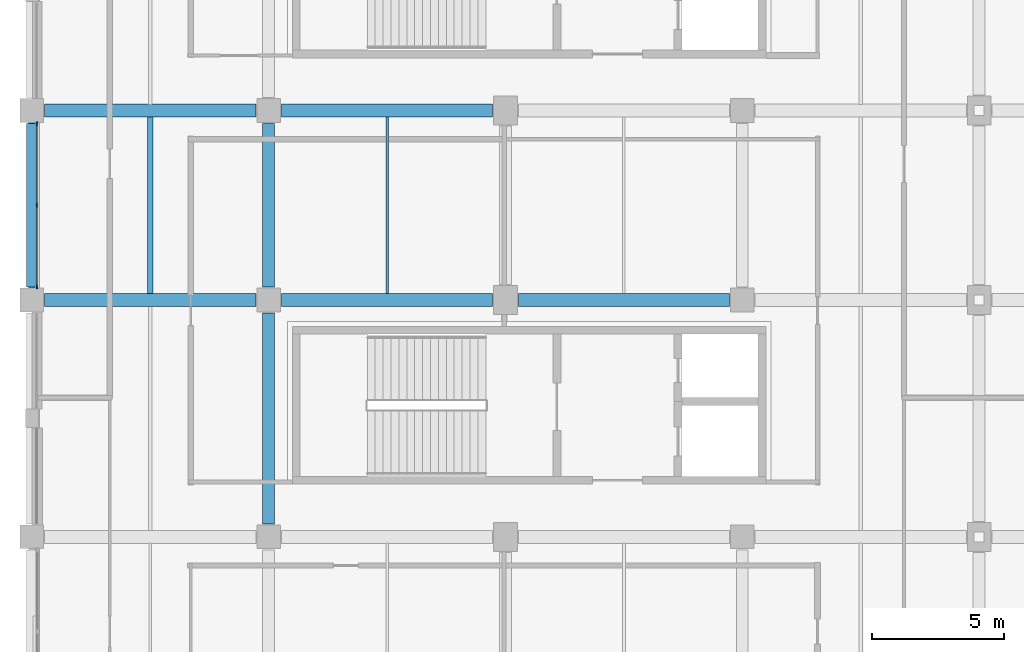
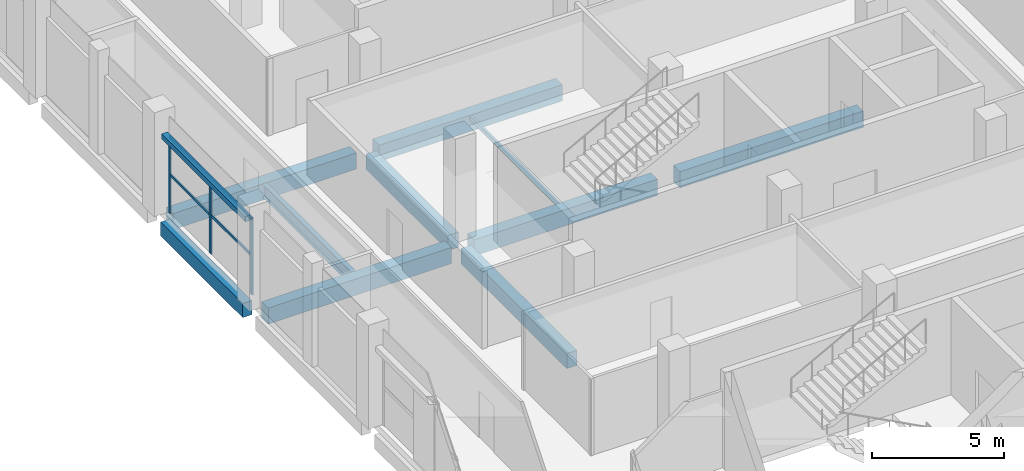
# One storey, part 15 of 82: 10 beams, 6 members, 1 element without a shape of its own.
"""IFC4 building model written with IfcOpenShell, lengths in metres."""

from ifc_helpers import new_model, si_unit, direction, frame, origin, origin_2d, place, context, subcontext, project, spatial, rectangle, hollow_rectangle, i_section, extrude, material, material_profile, profile_set, type_object, element, aggregate, save


model = new_model("IFC4")

# Units and contexts
model_context = context("Model", 3, precision=1e-05, world=origin(), true_north=direction((0.0, 1.0)))
body_context = subcontext(model_context, "Body", "Model", "MODEL_VIEW")
ifc_project = project(units=[si_unit("LENGTHUNIT", "METRE"), si_unit("AREAUNIT", "SQUARE_METRE"), si_unit("VOLUMEUNIT", "CUBIC_METRE"), si_unit("PLANEANGLEUNIT", "RADIAN"), si_unit("MASSUNIT", "GRAM", prefix="KILO"), si_unit("THERMODYNAMICTEMPERATUREUNIT", "KELVIN"), si_unit("POWERUNIT", "WATT")], contexts=[model_context])

# Site, building, storey
site_placement = place(None, origin())
site = spatial("IfcSite", under=ifc_project, at=site_placement, CompositionType="ELEMENT")
building_placement = place(site_placement, origin())
building = spatial("IfcBuilding", under=site, at=building_placement, Name="Sindhuravela Promenade Stadium", CompositionType="ELEMENT")
storey_placement = place(building_placement, frame((0.0, 0.0, 14.39990234375)))
storey = spatial("IfcBuildingStorey", under=building, at=storey_placement, Name="L03", CompositionType="ELEMENT", Elevation=14.39990234375)

# Curtain wall, members
ifc_material_1 = material(Name="Anodised architectural aluminium 6063-T6", Category="aluminium")
curtain_wall_type = type_object("IfcCurtainWallType", Name="CW-MOD-8", PredefinedType="NOTDEFINED", material=ifc_material_1)
curtain_wall_placement = place(storey_placement, origin())
curtain_wall = element("IfcCurtainWall", 1, at=curtain_wall_placement, inside=storey, type_object=curtain_wall_type, Name="Bronze curtain wall CW-WEST-L03-031", PredefinedType="NOTDEFINED")
ifc_material_profile_1 = material_profile(ifc_material_1, rectangle(XDim=0.06494140625, YDim=0.14990234375, at=origin_2d()), Name="ALU MULL 65x150")
ifc_profile_set_1 = profile_set([ifc_material_profile_1], Name="Anodised architectural aluminium 6063-T6")
member_type_1 = type_object("IfcMemberType", Name="CW-MUL-2", PredefinedType="MULLION", material=ifc_profile_set_1)
member_1_placement = place(storey_placement, frame((0.199951171875, 94.10009765625, 0.0), z_axis=(0.0, 0.0, 1.0), x_axis=(1.0, 0.0, 0.0)))
member_1 = element("IfcMember", 2, at=member_1_placement, type_object=member_type_1, Name="Curtain wall mullion CW-WEST-L03-031-M1", PredefinedType="MULLION", context=body_context, shape_type="SweptSolid", body=[
    extrude(rectangle(XDim=0.06494140625, YDim=0.14990234375, at=origin_2d()), origin(), (0.0, 0.0, 1.0), 3.580078125),
])
member_2_placement = place(storey_placement, frame((0.199951171875, 97.199951171875, 0.0), z_axis=(0.0, 0.0, 1.0), x_axis=(1.0, 0.0, 0.0)))
member_2 = element("IfcMember", 3, at=member_2_placement, type_object=member_type_1, Name="Curtain wall mullion CW-WEST-L03-031-M2", PredefinedType="MULLION", context=body_context, shape_type="SweptSolid", body=[
    extrude(rectangle(XDim=0.06494140625, YDim=0.14990234375, at=origin_2d()), origin(), (0.0, 0.0, 1.0), 3.580078125),
])
member_3_placement = place(storey_placement, frame((0.199951171875, 100.300048828125, 0.0), z_axis=(0.0, 0.0, 1.0), x_axis=(1.0, 0.0, 0.0)))
member_3 = element("IfcMember", 4, at=member_3_placement, type_object=member_type_1, Name="Curtain wall mullion CW-WEST-L03-031-M3", PredefinedType="MULLION", context=body_context, shape_type="SweptSolid", body=[
    extrude(rectangle(XDim=0.06494140625, YDim=0.14990234375, at=origin_2d()), origin(), (0.0, 0.0, 1.0), 3.580078125),
])
ifc_material_profile_2 = material_profile(ifc_material_1, rectangle(XDim=0.06494140625, YDim=0.125, at=origin_2d()), Name="ALU TRAN 65x125")
ifc_profile_set_2 = profile_set([ifc_material_profile_2], Name="Anodised architectural aluminium 6063-T6")
member_type_2 = type_object("IfcMemberType", Name="CW-TRN-2", PredefinedType="USERDEFINED", material=ifc_profile_set_2)
member_4_placement = place(storey_placement, frame((0.199951171875, 94.074951171875, 1.7900390625), z_axis=(0.0, 1.0, 0.0), x_axis=(-1.0, 0.0, 0.0)))
member_4 = element("IfcMember", 5, at=member_4_placement, type_object=member_type_2, Name="Curtain wall transom CW-WEST-L03-031-T1", ObjectType="TRANSOM", PredefinedType="USERDEFINED", context=body_context, shape_type="SweptSolid", body=[
    extrude(rectangle(XDim=0.06494140625, YDim=0.125, at=origin_2d()), origin(), (0.0, 0.0, 1.0), 6.25),
])
member_5_placement = place(storey_placement, frame((0.199951171875, 94.074951171875, 3.5), z_axis=(0.0, 1.0, 0.0), x_axis=(-1.0, 0.0, 0.0)))
member_5 = element("IfcMember", 6, at=member_5_placement, type_object=member_type_2, Name="Curtain wall transom CW-WEST-L03-031-T2", ObjectType="TRANSOM", PredefinedType="USERDEFINED", context=body_context, shape_type="SweptSolid", body=[
    extrude(rectangle(XDim=0.06494140625, YDim=0.125, at=origin_2d()), origin(), (0.0, 0.0, 1.0), 6.25),
])
aggregate(curtain_wall, [member_1, member_2, member_3, member_4, member_5])

# Beams
ifc_material_2 = material(Name="Concrete M40", Category="concrete")
ifc_material_profile_3 = material_profile(ifc_material_2, rectangle(XDim=0.39990234375, YDim=0.64990234375, at=origin_2d()), Name="RC 400x650")
ifc_profile_set_3 = profile_set([ifc_material_profile_3], Name="Concrete M40")
beam_type_1 = type_object("IfcBeamType", Name="RC-BM-400x650", PredefinedType="SPANDREL", material=ifc_profile_set_3)
beam_1_placement = place(storey_placement, frame((0.0, 94.090087890625, -0.625), z_axis=(0.0, 1.0, 0.0), x_axis=(-1.0, 0.0, 0.0)))
element("IfcBeam", 7, at=beam_1_placement, inside=storey, type_object=beam_type_1, Name="Primary beam SP01 WEST L03", PredefinedType="SPANDREL", context=body_context, shape_type="SweptSolid", body=[
    extrude(rectangle(XDim=0.39990234375, YDim=0.64990234375, at=origin_2d()), origin(), (0.0, 0.0, 1.0), 6.219970703125),
])
ifc_material_profile_4 = material_profile(ifc_material_2, rectangle(XDim=0.449951171875, YDim=0.699951171875, at=origin_2d()), Name="RC 450x700")
ifc_profile_set_4 = profile_set([ifc_material_profile_4], Name="Concrete M40")
beam_type_2 = type_object("IfcBeamType", Name="RC-BM-450x700", PredefinedType="BEAM", material=ifc_profile_set_4)
beam_2_placement = place(storey_placement, frame((9.0, 85.090087890625, -0.64990234375), z_axis=(0.0, 1.0, 0.0), x_axis=(-1.0, 0.0, 0.0)))
element("IfcBeam", 8, at=beam_2_placement, inside=storey, type_object=beam_type_2, Name="Primary beam GB07 WEST L03", PredefinedType="BEAM", context=body_context, shape_type="SweptSolid", body=[
    extrude(rectangle(XDim=0.449951171875, YDim=0.699951171875, at=origin_2d()), origin(), (0.0, 0.0, 1.0), 8.02001953125),
])
beam_3_placement = place(storey_placement, frame((9.0, 94.090087890625, -0.64990234375), z_axis=(0.0, 1.0, 0.0), x_axis=(-1.0, 0.0, 0.0)))
element("IfcBeam", 9, at=beam_3_placement, inside=storey, type_object=beam_type_2, Name="Primary beam GB07 WEST L03", PredefinedType="BEAM", context=body_context, shape_type="SweptSolid", body=[
    extrude(rectangle(XDim=0.449951171875, YDim=0.699951171875, at=origin_2d()), origin(), (0.0, 0.0, 1.0), 6.219970703125),
])
ifc_material_profile_5 = material_profile(ifc_material_2, rectangle(XDim=0.5, YDim=0.75, at=origin_2d()), Name="RC 500x750")
ifc_profile_set_5 = profile_set([ifc_material_profile_5], Name="Concrete M40")
beam_type_3 = type_object("IfcBeamType", Name="RC-BM-500x750", PredefinedType="BEAM", material=ifc_profile_set_5)
for number, where, z_axis, x_axis, name in (
    (10, (0.489990234375, 93.60009765625, -0.6748046875), (1.0, 0.0, 0.0), (0.0, 1.0, 0.0), "Primary girder GB06 WEST L03"),
    (11, (9.489990234375, 93.60009765625, -0.6748046875), (1.0, 0.0, 0.0), (0.0, 1.0, 0.0), "Primary girder GB06 WEST L03"),
    (12, (18.489990234375, 93.60009765625, -0.6748046875), (1.0, 0.0, 0.0), (0.0, 1.0, 0.0), "Primary girder GB06 WEST L03"),
    (13, (0.489990234375, 100.800048828125, -0.6748046875), (1.0, 0.0, 0.0), (0.0, 1.0, 0.0), "Primary girder GB06 WEST L03"),
    (14, (9.489990234375, 100.800048828125, -0.6748046875), (1.0, 0.0, 0.0), (0.0, 1.0, 0.0), "Primary girder GB06 WEST L03"),
):
    element("IfcBeam", number, at=place(storey_placement, frame(where, z_axis=z_axis, x_axis=x_axis)), inside=storey, type_object=beam_type_3, Name=name, PredefinedType="BEAM", context=body_context, shape_type="SweptSolid", body=[
        extrude(rectangle(XDim=0.5, YDim=0.75, at=origin_2d()), origin(), (0.0, 0.0, 1.0), 8.02001953125),
    ])
ifc_material_3 = material(Name="Steel E350 (IS 2062 E350BR)", Category="steel")
ifc_material_profile_6 = material_profile(ifc_material_3, hollow_rectangle(XDim=0.10009765625, YDim=0.199951171875, WallThickness=0.008056640625, at=origin_2d()), Name="RHS 200x100x8")
ifc_profile_set_6 = profile_set([ifc_material_profile_6], Name="Steel E350 (IS 2062 E350BR)")
beam_type_4 = type_object("IfcBeamType", Name="ST-BM-LNT200", PredefinedType="LINTEL", material=ifc_profile_set_6)
beam_4_placement = place(storey_placement, frame((13.5, 93.840087890625, -0.39990234375), z_axis=(0.0, 1.0, 0.0), x_axis=(-1.0, 0.0, 0.0)))
element("IfcBeam", 15, at=beam_4_placement, inside=storey, type_object=beam_type_4, Name="Secondary floor joist LN01 WEST L03", PredefinedType="LINTEL", context=body_context, shape_type="SweptSolid", body=[
    extrude(hollow_rectangle(XDim=0.10009765625, YDim=0.199951171875, WallThickness=0.008056640625, at=origin_2d()), origin(), (0.0, 0.0, 1.0), 6.719970703125),
])
ifc_material_profile_7 = material_profile(ifc_material_3, i_section(OverallWidth=0.2099609375, OverallDepth=0.60009765625, WebThickness=0.011962890625, FlangeThickness=0.020751953125, FilletRadius=0.02001953125, at=origin_2d()), Name="ISMB 600")
ifc_profile_set_7 = profile_set([ifc_material_profile_7], Name="Steel E350 (IS 2062 E350BR)")
beam_type_5 = type_object("IfcBeamType", Name="ST-BM-MB600", PredefinedType="BEAM", material=ifc_profile_set_7)
beam_5_placement = place(storey_placement, frame((4.5, 93.840087890625, -0.599853515625), z_axis=(0.0, 1.0, 0.0), x_axis=(-1.0, 0.0, 0.0)))
element("IfcBeam", 16, at=beam_5_placement, inside=storey, type_object=beam_type_5, Name="Secondary floor joist SB09 WEST L03", PredefinedType="BEAM", context=body_context, shape_type="SweptSolid", body=[
    extrude(i_section(OverallWidth=0.2099609375, OverallDepth=0.60009765625, WebThickness=0.011962890625, FlangeThickness=0.020751953125, FilletRadius=0.02001953125, at=origin_2d()), origin(), (0.0, 0.0, 1.0), 6.719970703125),
])

# Member
ifc_material_profile_8 = material_profile(ifc_material_3, hollow_rectangle(XDim=0.25, YDim=0.25, WallThickness=0.011962890625, at=origin_2d()), Name="SHS 250x250x12")
ifc_profile_set_8 = profile_set([ifc_material_profile_8], Name="Steel E350 (IS 2062 E350BR)")
member_type_3 = type_object("IfcMemberType", Name="ST-MB-SHS250", PredefinedType="CHORD", material=ifc_profile_set_8)
member_6_placement = place(storey_placement, frame((0.0, 94.0419921875, 3.60009765625), z_axis=(0.0, 1.0, 0.0), x_axis=(-1.0, 0.0, 0.0)))
element("IfcMember", 17, at=member_6_placement, inside=storey, type_object=member_type_3, Name="Portal tie member MC01-10", PredefinedType="CHORD", context=body_context, shape_type="SweptSolid", body=[
    extrude(hollow_rectangle(XDim=0.25, YDim=0.25, WallThickness=0.011962890625, at=origin_2d()), origin(), (0.0, 0.0, 1.0), 6.31591796875),
])

save(model, "model.ifc")
